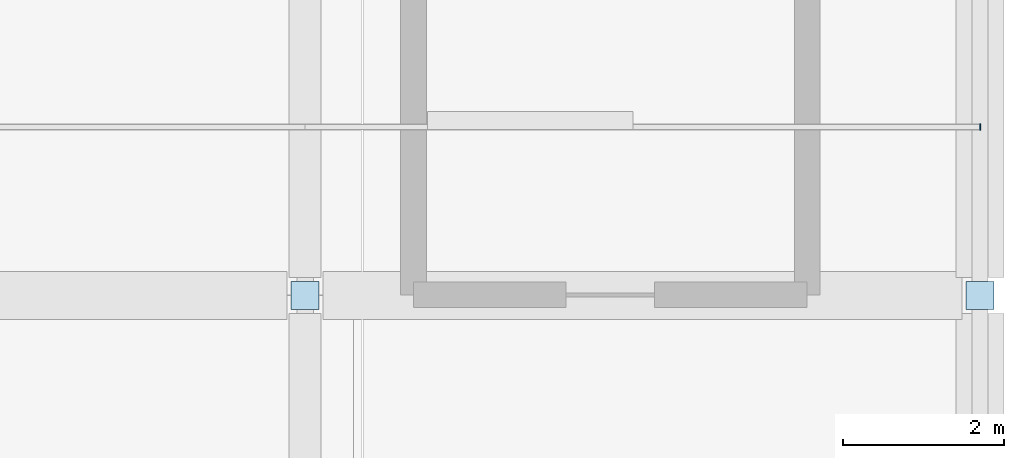
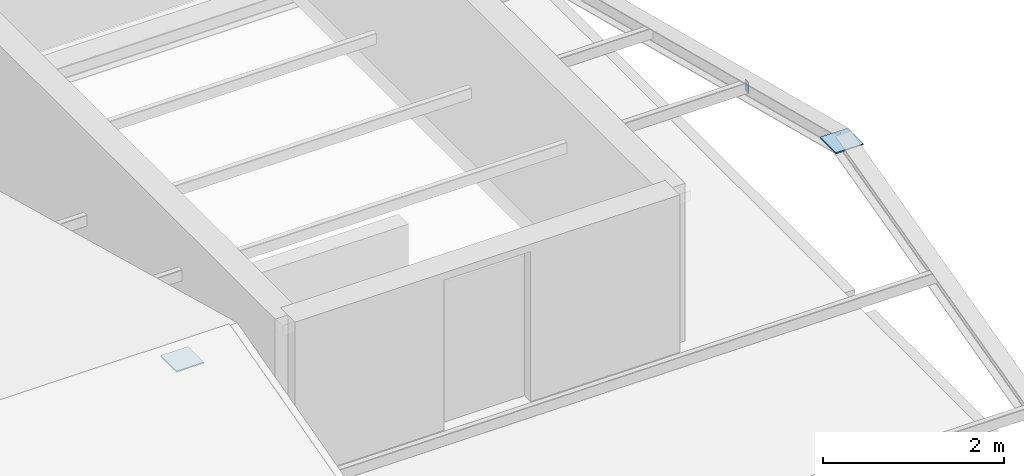
# One storey, part 13 of 17: 3 plates.
"""IFC4 building model written with IfcOpenShell, lengths in metres."""

from ifc_helpers import new_model, si_unit, derived_unit, direction, frame, origin, origin_2d, place, context, subcontext, project, spatial, rectangle, extrude, material, layer, layer_set, type_object, element, save


model = new_model("IFC4")

# Units and contexts
model_context = context("Model", 3, precision=1e-05, world=origin(), true_north=direction((0.0, 1.0)))
body_context = subcontext(model_context, "Body", "Model", "MODEL_VIEW")
ifc_project = project(units=[si_unit("LENGTHUNIT", "METRE"), si_unit("AREAUNIT", "SQUARE_METRE"), si_unit("VOLUMEUNIT", "CUBIC_METRE"), si_unit("PLANEANGLEUNIT", "RADIAN"), si_unit("MASSUNIT", "GRAM", prefix="KILO"), derived_unit("THERMALTRANSMITTANCEUNIT", [(si_unit("POWERUNIT", "WATT"), 1), (si_unit("LENGTHUNIT", "METRE"), -2), (si_unit("THERMODYNAMICTEMPERATUREUNIT", "KELVIN"), -1)])], contexts=[model_context])

# Site, building, storey
site_placement = place(None, origin())
site = spatial("IfcSite", under=ifc_project, at=site_placement, CompositionType="ELEMENT")
building_placement = place(site_placement, origin())
building = spatial("IfcBuilding", under=site, at=building_placement, Name="Barrovel Congress Hotel", CompositionType="ELEMENT")
storey_placement = place(building_placement, frame((0.0, 0.0, 47.10009765625)))
storey = spatial("IfcBuildingStorey", under=building, at=storey_placement, Name="RF", CompositionType="ELEMENT", Elevation=47.10009765625)

# Plates
ifc_material = material(Name="Steel ASTM A992 Grade 50", Category="steel")
ifc_layer_1 = layer(ifc_material, 0.010009765625)
ifc_layer_set_1 = layer_set([ifc_layer_1], Name="Steel ASTM A992 Grade 50")
plate_type_1 = type_object("IfcPlateType", Name="EC-10", PredefinedType="SHEET", material=ifc_layer_set_1)
plate_placement = place(storey_placement, frame((109.205078125, 14.699951171875, 1.38671875), z_axis=(0.0, 0.0, 1.0), x_axis=(1.0, 0.0, 0.0)))
element("IfcPlate", 1, at=plate_placement, inside=storey, type_object=plate_type_1, Name="End Cap Plate RF-PUR:14.7:100.8 end", PredefinedType="SHEET", context=body_context, shape_type="SweptSolid", body=[
    extrude(rectangle(XDim=0.010009765625, YDim=0.076171875, at=origin_2d()), origin(), (0.0, 0.0, 1.0), 0.15234375),
])
ifc_layer_2 = layer(ifc_material, 0.01611328125)
ifc_layer_set_2 = layer_set([ifc_layer_2], Name="Steel ASTM A992 Grade 50")
plate_type_2 = type_object("IfcPlateType", Name="GP-16", PredefinedType="SHEET", material=ifc_layer_set_2)
for number, where, z_axis, x_axis, name in (
    (2, (100.800048828125, 12.60009765625, 1.99267578125), (0.0, 0.0, 1.0), (1.0, 0.0, 0.0), "RF-RAF-GP:100.8"),
    (3, (109.199951171875, 12.60009765625, 1.99267578125), (0.0, 0.0, 1.0), (1.0, 0.0, 0.0), "RF-RAF-GP:109.2"),
):
    element("IfcPlate", number, at=place(storey_placement, frame(where, z_axis=z_axis, x_axis=x_axis)), inside=storey, type_object=plate_type_2, Name=name, PredefinedType="SHEET", context=body_context, shape_type="SweptSolid", body=[
        extrude(rectangle(XDim=0.35009765625, YDim=0.35009765625, at=origin_2d()), origin(), (0.0, 0.0, 1.0), 0.01611328125),
    ])

save(model, "model.ifc")
